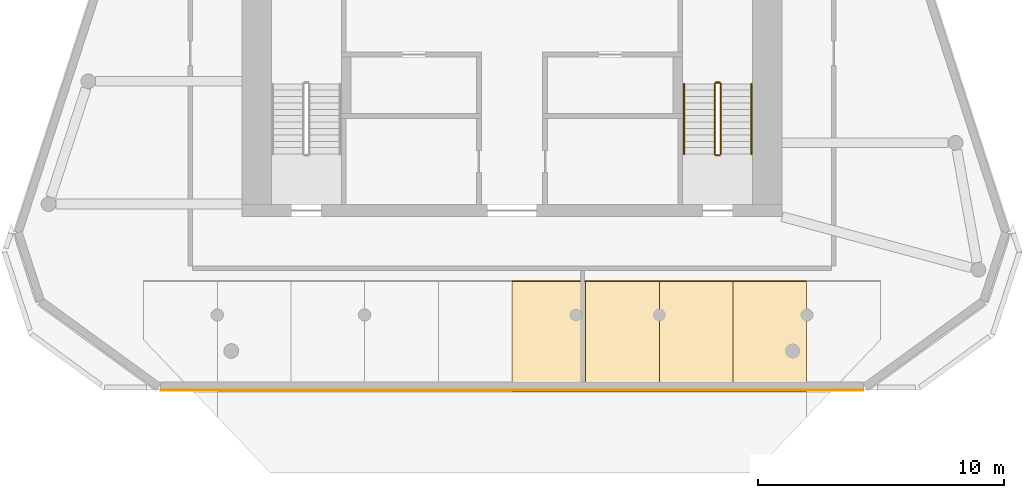
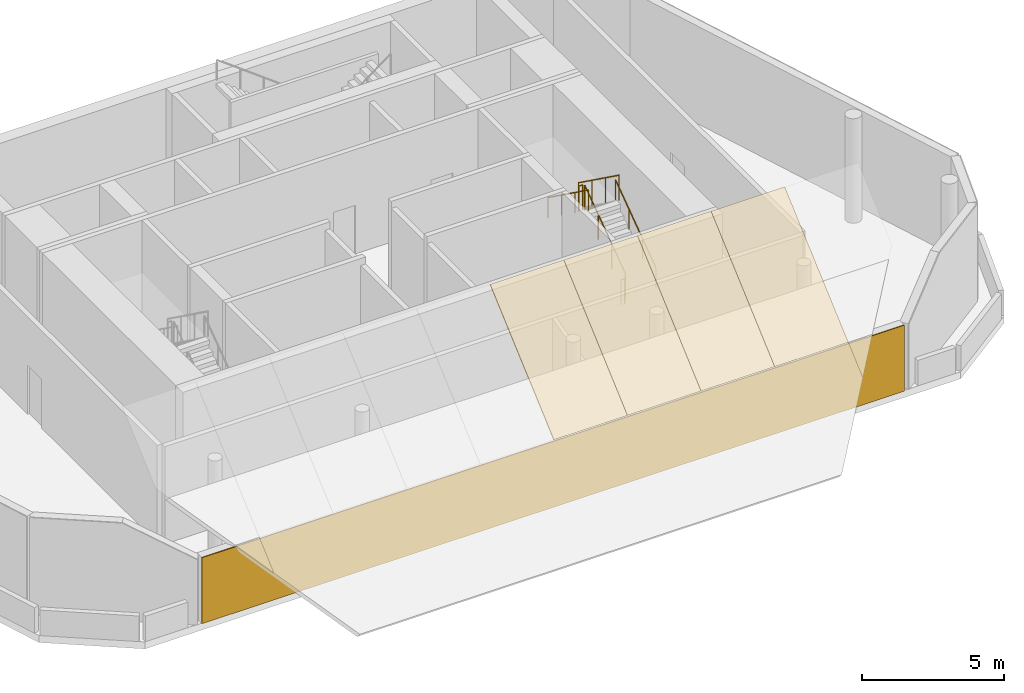
# One storey, part 5 of 6: 6 railings, 5 coverings.
"""IFC4 building model written with IfcOpenShell, lengths in metres."""

import ifcopenshell
import ifcopenshell.guid

model = None  # the IFC model being written
_history = None  # IfcOwnerHistory: only IFC2X3 demands one
_inside = {}  # id of a spatial element -> (the spatial element, [elements in it])
_under = {}  # id of a project, library or spatial element -> (it, [spatial elements below it])
_declared = {}  # id of a project -> (the project, [libraries it declares])
_typed = {}  # id of a type object -> (the type object, [elements of that type])
_made_of = {}  # id of a material, layer set ... -> (it, [elements and type objects made of it])


def new_model(schema):
    """Start an empty IFC model of exactly this schema.

    Asked for "IFC4X3", IfcOpenShell would pick the latest addendum, in which some entities
    have other attributes; the version numbers below select the first issue.
    IFC2X3 requires an IfcOwnerHistory on every rooted entity: one is made here for all.
    """
    global model, _history
    if schema == "IFC4X3":
        model = ifcopenshell.file(schema_version=(4, 3, 0, 0))
    else:
        model = ifcopenshell.file(schema=schema)
    _inside.clear()
    _under.clear()
    _declared.clear()
    _typed.clear()
    _made_of.clear()
    _history = None
    if model.schema == "IFC2X3":
        org = make("IfcOrganization", Name="unknown")
        user = make(
            "IfcPersonAndOrganization",
            ThePerson=make("IfcPerson", FamilyName="unknown"),
            TheOrganization=org,
        )
        app = make(
            "IfcApplication",
            ApplicationDeveloper=org,
            Version="unknown",
            ApplicationFullName="unknown",
            ApplicationIdentifier="unknown",
        )
        _history = make(
            "IfcOwnerHistory",
            OwningUser=user,
            OwningApplication=app,
            ChangeAction="ADDED",
            CreationDate=0,
        )
    return model


def make(cls, **values):
    """One entity of the class cls with the attributes given. An attribute that is None is left unset."""
    return model.create_entity(
        cls, **{name: value for name, value in values.items() if value is not None}
    )


def rooted(cls, **values):
    """An entity with a GlobalId (a new one), such as an element, a storey or a relation."""
    return make(cls, GlobalId=ifcopenshell.guid.new(), OwnerHistory=_history, **values)


def si_unit(unit_type, name, prefix=None):
    """IfcSIUnit, for example si_unit("LENGTHUNIT", "METRE", prefix="MILLI")."""
    return make("IfcSIUnit", UnitType=unit_type, Prefix=prefix, Name=name)


def assignment(units):
    """IfcUnitAssignment: the units of a project."""
    return None if units is None else make("IfcUnitAssignment", Units=units)


def point(xyz):
    """IfcCartesianPoint."""
    return None if xyz is None else make("IfcCartesianPoint", Coordinates=xyz)


def direction(xyz):
    """IfcDirection."""
    return None if xyz is None else make("IfcDirection", DirectionRatios=xyz)


def frame(location, z_axis=None, x_axis=None):
    """IfcAxis2Placement3D, a coordinate frame: its origin and axes. An axis left out is left unset."""
    return make(
        "IfcAxis2Placement3D",
        Location=point(location),
        Axis=direction(z_axis),
        RefDirection=direction(x_axis),
    )


def frame_2d(location, x_axis=None):
    """IfcAxis2Placement2D, a coordinate frame in the plane: its origin and x axis."""
    return make(
        "IfcAxis2Placement2D", Location=point(location), RefDirection=direction(x_axis)
    )


def origin():
    """The frame at (0, 0, 0) with its axes left unset."""
    return frame((0.0, 0.0, 0.0))


def origin_2d():
    """The frame at (0, 0) in the plane with its x axis left unset."""
    return frame_2d((0.0, 0.0))


def place(relative_to, where):
    """IfcLocalPlacement: puts the frame where relative to a parent placement (None: the world)."""
    return make(
        "IfcLocalPlacement", PlacementRelTo=relative_to, RelativePlacement=where
    )


def context(
    kind, dimensions, precision=None, world=None, true_north=None, identifier=None
):
    """IfcGeometricRepresentationContext, for example the 3D "Model" context."""
    return make(
        "IfcGeometricRepresentationContext",
        ContextIdentifier=identifier,
        ContextType=kind,
        CoordinateSpaceDimension=dimensions,
        Precision=precision,
        WorldCoordinateSystem=world,
        TrueNorth=true_north,
    )


def subcontext(parent, identifier, kind, view, scale=None):
    """IfcGeometricRepresentationSubContext, for example "Body" below "Model"."""
    return make(
        "IfcGeometricRepresentationSubContext",
        ContextIdentifier=identifier,
        ContextType=kind,
        ParentContext=parent,
        TargetScale=scale,
        TargetView=view,
    )


def project(units=None, contexts=None):
    """IfcProject with its units and contexts."""
    return rooted(
        "IfcProject",
        Name="project",
        RepresentationContexts=contexts,
        UnitsInContext=assignment(units),
    )


def spatial(cls, under=None, at=None, **own):
    """A site, building, storey or space (cls), placed at a placement, below another one or the project."""
    s = rooted(cls, ObjectPlacement=at, **own)
    if under is not None:
        _under.setdefault(under.id(), (under, []))[1].append(s)
    return s


def polyline(points):
    """IfcPolyline through the points."""
    return make("IfcPolyline", Points=[point(p) for p in points])


def profile(cls, at=None, kind="AREA", **sizes):
    """A parametric profile (cls). Its sizes go by their IFC names, for example OverallWidth=200.0."""
    return make(cls, ProfileType=kind, Position=at, **sizes)


def circle(**sizes):
    """IfcCircleProfileDef."""
    return profile("IfcCircleProfileDef", **sizes)


def outline(outer, holes=None, kind="AREA"):
    """IfcArbitraryClosedProfileDef: a profile drawn as a closed curve; with holes, ...WithVoids."""
    if holes is None:
        return make("IfcArbitraryClosedProfileDef", ProfileType=kind, OuterCurve=outer)
    return make(
        "IfcArbitraryProfileDefWithVoids",
        ProfileType=kind,
        OuterCurve=outer,
        InnerCurves=holes,
    )


def extrude(swept, where, along, depth):
    """IfcExtrudedAreaSolid: the profile swept, set in the frame where, extruded along a direction by depth."""
    return make(
        "IfcExtrudedAreaSolid",
        SweptArea=swept,
        Position=where,
        ExtrudedDirection=direction(along),
        Depth=depth,
    )


def shape(context_of_items, identifier, shape_type, items):
    """IfcShapeRepresentation: the items that make up one representation, for example the "Body"."""
    return make(
        "IfcShapeRepresentation",
        ContextOfItems=context_of_items,
        RepresentationIdentifier=identifier,
        RepresentationType=shape_type,
        Items=items,
    )


def material(Name=None, Category=None):
    """IfcMaterial."""
    return make("IfcMaterial", Name=Name, Category=Category)


def layer(
    of_material, thickness, ventilated=None, Name=None, Category=None, Priority=None
):
    """IfcMaterialLayer: one layer of a wall or slab, of a material (None: an air gap)."""
    return make(
        "IfcMaterialLayer",
        Material=of_material,
        LayerThickness=thickness,
        IsVentilated=ventilated,
        Name=Name,
        Category=Category,
        Priority=Priority,
    )


def layer_set(layers, Name=None):
    """IfcMaterialLayerSet."""
    return make("IfcMaterialLayerSet", MaterialLayers=layers, LayerSetName=Name)


def made_of(thing, what):
    """Note that an element or type object is made of a material, layer set ...; save() writes the relation."""
    if what is not None:
        _made_of.setdefault(what.id(), (what, []))[1].append(thing)
    return thing


def type_object(cls, material=None, **own):
    """A type object (cls), such as IfcWallType, which elements share."""
    return made_of(rooted(cls, **own), material)


def element(
    cls,
    number,
    at=None,
    inside=None,
    cuts=None,
    type_object=None,
    material=None,
    context=None,
    identifier="Body",
    shape_type=None,
    held_by="IfcProductDefinitionShape",
    body=None,
    shapes=None,
    **own,
):
    """One element of the class cls, such as IfcWall. Its Tag is "e" and its number.

    at: its placement. inside: the storey or other place that contains it. cuts: it is an
    opening in that element (IfcRelVoidsElement). A single representation is given by context,
    identifier, shape_type and body (its items); several are given by shapes. held_by: the class
    of the entity that holds the representations. save() writes the other relations.
    """
    e = rooted(cls, Tag="e%d" % number, ObjectPlacement=at, **own)
    if body is not None:
        shapes = [shape(context, identifier, shape_type, body)]
    if shapes is not None:
        e.Representation = make(held_by, Representations=shapes)
    if inside is not None:
        _inside.setdefault(inside.id(), (inside, []))[1].append(e)
    if cuts is not None:
        rooted(
            "IfcRelVoidsElement", RelatingBuildingElement=cuts, RelatedOpeningElement=e
        )
    if type_object is not None:
        _typed.setdefault(type_object.id(), (type_object, []))[1].append(e)
    return made_of(e, material)


def aggregate(whole, parts):
    """IfcRelAggregates: a whole, such as a stair, and the parts it consists of."""
    return rooted("IfcRelAggregates", RelatingObject=whole, RelatedObjects=parts)


def save(model, path):
    """Write the relations noted so far, then the file.

    IfcRelAggregates (storeys below a building ...), IfcRelContainedInSpatialStructure (elements
    in a storey), IfcRelDefinesByType, IfcRelAssociatesMaterial and IfcRelDeclares: one each for
    every whole, place, type object, material and project.
    """
    for whole, parts in _under.values():
        aggregate(whole, parts)
    for where, things in _inside.values():
        rooted(
            "IfcRelContainedInSpatialStructure",
            RelatedElements=things,
            RelatingStructure=where,
        )
    for kind, things in _typed.values():
        rooted("IfcRelDefinesByType", RelatedObjects=things, RelatingType=kind)
    for what, things in _made_of.values():
        rooted("IfcRelAssociatesMaterial", RelatedObjects=things, RelatingMaterial=what)
    for by, libraries in _declared.values():
        rooted("IfcRelDeclares", RelatingContext=by, RelatedDefinitions=libraries)
    model.write(path)


model = new_model("IFC4")

# Units and contexts
model_context = context("Model", 3, precision=1e-05, world=origin(), true_north=direction((0.0, 1.0)))
body_context = subcontext(model_context, "Body", "Model", "MODEL_VIEW")
ifc_project = project(units=[si_unit("LENGTHUNIT", "METRE"), si_unit("AREAUNIT", "SQUARE_METRE"), si_unit("VOLUMEUNIT", "CUBIC_METRE"), si_unit("PLANEANGLEUNIT", "RADIAN"), si_unit("MASSUNIT", "GRAM", prefix="KILO")], contexts=[model_context])

# Site, building, storey
site_placement = place(None, origin())
site = spatial("IfcSite", under=ifc_project, at=site_placement, CompositionType="ELEMENT")
building_placement = place(site_placement, origin())
building = spatial("IfcBuilding", under=site, at=building_placement, Name="White Candle Pilgrim Tower", CompositionType="ELEMENT")
storey_placement = place(building_placement, frame((0.0, 0.0, 337.699951171875)))
storey = spatial("IfcBuildingStorey", under=building, at=storey_placement, Name="L79", CompositionType="ELEMENT", Elevation=337.699951171875)

# Coverings
ifc_material_1 = material(Name="Zinc standing seam")
ifc_layer_1 = layer(ifc_material_1, 0.050048828125)
ifc_layer_set_1 = layer_set([ifc_layer_1], Name="Roof covering CL2 zinc standing seam 50")
covering_type_1 = type_object("IfcCoveringType", Name="Roof covering CL2 zinc standing seam 50", PredefinedType="ROOFING", material=ifc_layer_set_1)
for number, where, z_axis, x_axis, name in (
    (1, (70.0, 63.867919921875, 2.9326171875), (0.0, -0.66291797017, 0.748692036038), (0.0, 0.748692036038, 0.66291797017), "Roof covering 27"),
    (2, (73.0, 63.867919921875, 2.9326171875), (0.0, -0.66291797017, 0.748692036038), (0.0, 0.748692036038, 0.66291797017), "Roof covering 28"),
    (3, (76.0, 63.867919921875, 2.9326171875), (0.0, -0.66291797017, 0.748692036038), (0.0, 0.748692036038, 0.66291797017), "Roof covering 29"),
    (4, (79.0, 63.867919921875, 2.9326171875), (0.0, -0.66291797017, 0.748692036038), (0.0, 0.748692036038, 0.66291797017), "Roof covering 30"),
):
    element("IfcCovering", number, at=place(storey_placement, frame(where, z_axis=z_axis, x_axis=x_axis)), inside=storey, type_object=covering_type_1, Name=name, PredefinedType="ROOFING", context=body_context, shape_type="SweptSolid", body=[
        extrude(outline(polyline([(0.0, 0.0), (6.000047127220721, 0.0), (6.000047127220721, -3.0), (0.0, -3.0), (0.0, 0.0)])), origin(), (0.0, 0.0, -1.0), 0.050048828125),
    ])

# Railings
ifc_material_2 = material(Name="Stainless steel", Category="steel")
railing_type_1 = type_object("IfcRailingType", Name="Stair guard stainless steel 1100 mm", PredefinedType="GUARDRAIL", material=ifc_material_2)
railing_1_placement = place(storey_placement, frame((78.5, 73.550048828125, 0.1875)))
element("IfcRailing", 5, at=railing_1_placement, inside=storey, type_object=railing_type_1, Name="L79 ST2 stair guard 1", PredefinedType="GUARDRAIL", context=body_context, shape_type="SweptSolid", body=[
    extrude(circle(Radius=0.02392578125, at=origin_2d()), frame((0.0, 0.0, 1.076171875), z_axis=(0.0, 0.811077065594, 0.584939307678), x_axis=(-1.0, 0.0, 0.0)), (0.0, 0.0, 1.0), 3.526123046875),
    extrude(circle(Radius=0.02099609375, at=origin_2d()), origin(), (0.0, 0.0, 1.0), 1.052001953125),
    extrude(circle(Radius=0.02099609375, at=origin_2d()), frame((0.0, 0.953369140625, 0.6875)), (0.0, 0.0, 1.0), 1.052001953125),
    extrude(circle(Radius=0.02099609375, at=origin_2d()), frame((0.0, 1.906494140625, 1.375)), (0.0, 0.0, 1.0), 1.052001953125),
    extrude(circle(Radius=0.02099609375, at=origin_2d()), frame((0.0, 2.85986328125, 2.0625)), (0.0, 0.0, 1.0), 1.052001953125),
])
railing_2_placement = place(storey_placement, frame((78.449951171875, 76.4599609375, 2.25)))
element("IfcRailing", 6, at=railing_2_placement, inside=storey, type_object=railing_type_1, Name="L79 ST2 stair guard 2", PredefinedType="GUARDRAIL", context=body_context, shape_type="SweptSolid", body=[
    extrude(circle(Radius=0.02392578125, at=origin_2d()), frame((0.0, 0.0, 1.076171875), z_axis=(-1.0, 0.0, 0.0), x_axis=(0.0, -1.0, 0.0)), (0.0, 0.0, 1.0), 0.14990234375),
    extrude(circle(Radius=0.02099609375, at=origin_2d()), origin(), (0.0, 0.0, 1.0), 1.052001953125),
    extrude(circle(Radius=0.02099609375, at=origin_2d()), frame((-0.14990234375, 0.0, 0.0)), (0.0, 0.0, 1.0), 1.052001953125),
])
railing_3_placement = place(storey_placement, frame((78.25, 76.409912109375, 2.4375)))
element("IfcRailing", 7, at=railing_3_placement, inside=storey, type_object=railing_type_1, Name="L79 ST2 stair guard 3", PredefinedType="GUARDRAIL", context=body_context, shape_type="SweptSolid", body=[
    extrude(circle(Radius=0.02392578125, at=origin_2d()), frame((0.0, 0.0, 1.076171875), z_axis=(0.0, -0.811077065594, 0.584939307678), x_axis=(1.0, 0.0, 0.0)), (0.0, 0.0, 1.0), 3.526123046875),
    extrude(circle(Radius=0.02099609375, at=origin_2d()), origin(), (0.0, 0.0, 1.0), 1.052001953125),
    extrude(circle(Radius=0.02099609375, at=origin_2d()), frame((0.0, -0.953369140625, 0.6875)), (0.0, 0.0, 1.0), 1.052001953125),
    extrude(circle(Radius=0.02099609375, at=origin_2d()), frame((0.0, -1.906494140625, 1.375)), (0.0, 0.0, 1.0), 1.052001953125),
    extrude(circle(Radius=0.02099609375, at=origin_2d()), frame((0.0, -2.85986328125, 2.0625)), (0.0, 0.0, 1.0), 1.052001953125),
])
railing_4_placement = place(storey_placement, frame((78.449951171875, 73.5, 0.0)))
element("IfcRailing", 8, at=railing_4_placement, inside=storey, type_object=railing_type_1, Name="L79 ST2 stair guard 4", PredefinedType="GUARDRAIL", context=body_context, shape_type="SweptSolid", body=[
    extrude(circle(Radius=0.02392578125, at=origin_2d()), frame((0.0, 0.0, 1.076171875), z_axis=(-1.0, 0.0, 0.0), x_axis=(0.0, -1.0, 0.0)), (0.0, 0.0, 1.0), 0.14990234375),
    extrude(circle(Radius=0.02099609375, at=origin_2d()), origin(), (0.0, 0.0, 1.0), 1.052001953125),
    extrude(circle(Radius=0.02099609375, at=origin_2d()), frame((-0.14990234375, 0.0, 0.0)), (0.0, 0.0, 1.0), 1.052001953125),
])
railing_type_2 = type_object("IfcRailingType", Name="Stair handrail stainless steel", PredefinedType="HANDRAIL", material=ifc_material_2)
railing_5_placement = place(storey_placement, frame((79.75, 73.550048828125, 0.1875)))
element("IfcRailing", 9, at=railing_5_placement, inside=storey, type_object=railing_type_2, Name="L79 ST2 stair handrail 1", PredefinedType="HANDRAIL", context=body_context, shape_type="SweptSolid", body=[
    extrude(circle(Radius=0.02392578125, at=origin_2d()), frame((0.0, 0.0, 0.8759765625), z_axis=(0.0, 0.811077065594, 0.584939307678), x_axis=(-1.0, 0.0, 0.0)), (0.0, 0.0, 1.0), 3.526123046875),
    extrude(circle(Radius=0.02099609375, at=origin_2d()), origin(), (0.0, 0.0, 1.0), 0.851806640625),
    extrude(circle(Radius=0.02099609375, at=origin_2d()), frame((0.0, 0.953369140625, 0.6875)), (0.0, 0.0, 1.0), 0.851806640625),
    extrude(circle(Radius=0.02099609375, at=origin_2d()), frame((0.0, 1.906494140625, 1.375)), (0.0, 0.0, 1.0), 0.851806640625),
    extrude(circle(Radius=0.02099609375, at=origin_2d()), frame((0.0, 2.85986328125, 2.0625)), (0.0, 0.0, 1.0), 0.851806640625),
])
railing_6_placement = place(storey_placement, frame((77.0, 76.409912109375, 2.4375)))
element("IfcRailing", 10, at=railing_6_placement, inside=storey, type_object=railing_type_2, Name="L79 ST2 stair handrail 2", PredefinedType="HANDRAIL", context=body_context, shape_type="SweptSolid", body=[
    extrude(circle(Radius=0.02392578125, at=origin_2d()), frame((0.0, 0.0, 0.8759765625), z_axis=(0.0, -0.811077065594, 0.584939307678), x_axis=(1.0, 0.0, 0.0)), (0.0, 0.0, 1.0), 3.526123046875),
    extrude(circle(Radius=0.02099609375, at=origin_2d()), origin(), (0.0, 0.0, 1.0), 0.851806640625),
    extrude(circle(Radius=0.02099609375, at=origin_2d()), frame((0.0, -0.953369140625, 0.6875)), (0.0, 0.0, 1.0), 0.851806640625),
    extrude(circle(Radius=0.02099609375, at=origin_2d()), frame((0.0, -1.906494140625, 1.375)), (0.0, 0.0, 1.0), 0.851806640625),
    extrude(circle(Radius=0.02099609375, at=origin_2d()), frame((0.0, -2.85986328125, 2.0625)), (0.0, 0.0, 1.0), 0.851806640625),
])

# Covering
ifc_layer_2 = layer(ifc_material_1, 0.0400390625)
ifc_layer_set_2 = layer_set([ifc_layer_2], Name="Zinc wall cladding CL3 40")
covering_type_2 = type_object("IfcCoveringType", Name="Zinc wall cladding CL3 40", PredefinedType="CLADDING", material=ifc_layer_set_2)
covering_placement = place(storey_placement, frame((55.69189453125, 63.944091796875, 2.841796875), z_axis=(0.0, 1.0, 0.0), x_axis=(1.0, 0.0, 0.0)))
element("IfcCovering", 11, at=covering_placement, inside=storey, type_object=covering_type_2, Name="Zinc wall cladding L79 S", PredefinedType="CLADDING", context=body_context, shape_type="SweptSolid", body=[
    extrude(outline(polyline([(0.0, 0.0), (28.6162109375, 0.0), (28.6162109375, 2.841796875), (0.0, 2.841796875), (0.0, 0.0)])), origin(), (0.0, 0.0, -1.0), 0.0400390625),
])

save(model, "model.ifc")
